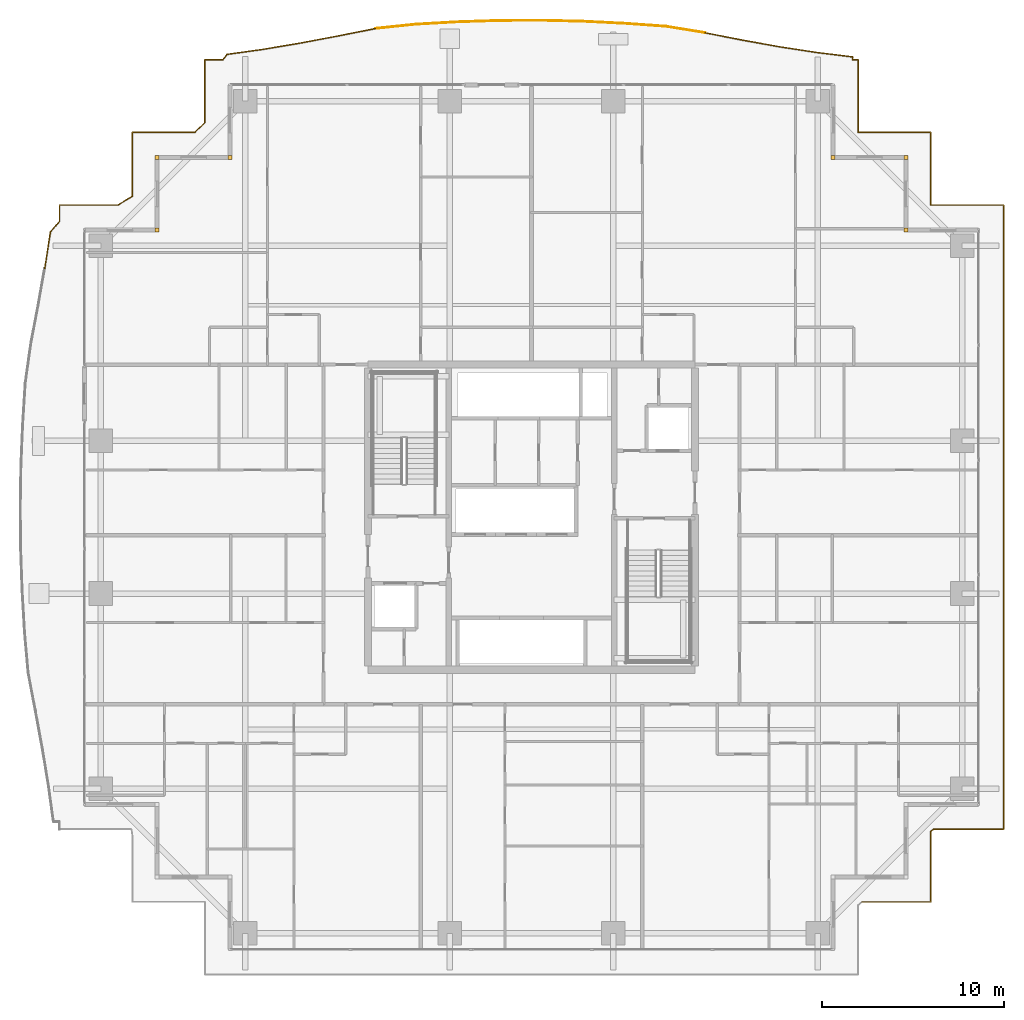
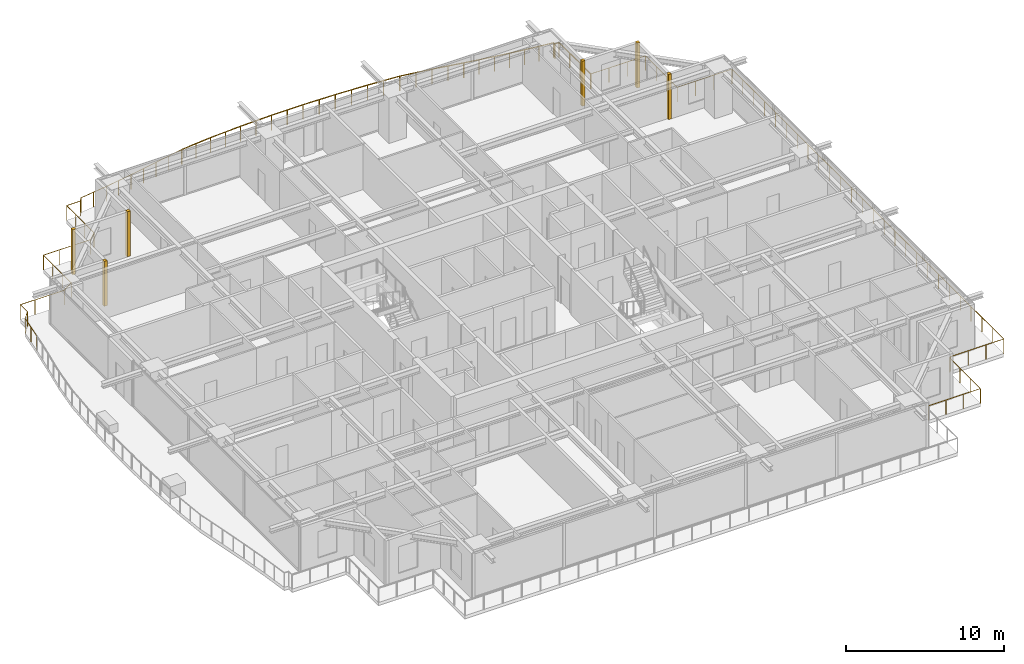
# One storey, part 38 of 38: 6 coverings, 5 railings.
"""IFC4 building model written with IfcOpenShell, lengths in metres."""

from ifc_helpers import new_model, si_unit, direction, frame, origin, origin_2d, place, context, subcontext, project, spatial, rectangle, circle, extrude, source, transform, mapped, material, layer, layer_set, type_object, element, save


model = new_model("IFC4")

# Units and contexts
model_context = context("Model", 3, precision=1e-05, world=origin(), true_north=direction((0.0, 1.0)))
body_context = subcontext(model_context, "Body", "Model", "MODEL_VIEW")
ifc_project = project(units=[si_unit("LENGTHUNIT", "METRE"), si_unit("AREAUNIT", "SQUARE_METRE"), si_unit("VOLUMEUNIT", "CUBIC_METRE"), si_unit("PLANEANGLEUNIT", "RADIAN"), si_unit("MASSUNIT", "GRAM", prefix="KILO")], contexts=[model_context])

# Site, building, storey
site_placement = place(None, origin())
site = spatial("IfcSite", under=ifc_project, at=site_placement, CompositionType="ELEMENT")
building_placement = place(site_placement, origin())
building = spatial("IfcBuilding", under=site, at=building_placement, Name="Serunith Strait Residences", CompositionType="ELEMENT")
storey_placement = place(building_placement, frame((0.0, 0.0, 120.14990234375)))
storey = spatial("IfcBuildingStorey", under=building, at=storey_placement, Name="L29", CompositionType="ELEMENT", Elevation=120.14990234375)

# Railings
ifc_material_1 = material(Name="Stainless Steel & Laminated Glass Balustrade", Category="steel")
railing_type = type_object("IfcRailingType", Name="RLG-BALC-1150", PredefinedType="BALUSTRADE", material=ifc_material_1)
railing_1_placement = place(storey_placement, frame((5.6083984375, 38.88623046875, -0.0498046875)))
element("IfcRailing", 1, at=railing_1_placement, inside=storey, type_object=railing_type, Name="L29 Swirling Balcony Perimeter Balustrade 3", PredefinedType="BALUSTRADE", context=body_context, shape_type="SweptSolid", body=[
    extrude(circle(Radius=0.02392578125, at=origin_2d()), frame((0.000244140625, 0.001953125, 1.1259765625), z_axis=(0.153418109504, 0.988161365201, 0.0), x_axis=(-0.988161365201, 0.153418109504, 0.0)), (0.0, 0.0, 1.0), 2.03125),
    extrude(circle(Radius=0.02392578125, at=origin_2d()), frame((0.3134765625, 2.0126953125, 1.1259765625), z_axis=(0.649822605794, 0.760085903697, 0.0), x_axis=(-0.760085903697, 0.649822605794, 0.0)), (0.0, 0.0, 1.0), 0.764404296875),
    extrude(circle(Radius=0.02392578125, at=origin_2d()), frame((0.8115234375, 2.59716796875, 1.1259765625), z_axis=(0.0, 1.0, 0.0), x_axis=(-1.0, 0.0, 0.0)), (0.0, 0.0, 1.0), 0.89453125),
    extrude(circle(Radius=0.02392578125, at=origin_2d()), frame((0.8134765625, 3.49365234375, 1.1259765625), z_axis=(1.0, 0.0, 0.0), x_axis=(0.0, 1.0, 0.0)), (0.0, 0.0, 1.0), 3.20556640625),
    extrude(circle(Radius=0.02392578125, at=origin_2d()), frame((4.022705078125, 3.49462890625, 1.1259765625), z_axis=(0.858753992877, 0.512388114341, 0.0), x_axis=(-0.512388114341, 0.858753992877, 0.0)), (0.0, 0.0, 1.0), 0.91650390625),
    extrude(circle(Radius=0.02392578125, at=origin_2d()), frame((4.8115234375, 3.96728515625, 1.1259765625), z_axis=(0.0, 1.0, 0.0), x_axis=(-1.0, 0.0, 0.0)), (0.0, 0.0, 1.0), 3.5244140625),
    extrude(circle(Radius=0.02392578125, at=origin_2d()), frame((4.8134765625, 7.49365234375, 1.1259765625), z_axis=(1.0, 0.0, 0.0), x_axis=(0.0, 1.0, 0.0)), (0.0, 0.0, 1.0), 3.439697265625),
    extrude(circle(Radius=0.02099609375, at=origin_2d()), origin(), (0.0, 0.0, 1.0), 1.099853515625),
    extrude(circle(Radius=0.02099609375, at=origin_2d()), frame((0.15625, 1.005615234375, 0.0)), (0.0, 0.0, 1.0), 1.099853515625),
    extrude(circle(Radius=0.02099609375, at=origin_2d()), frame((0.312255859375, 2.01123046875, 0.0)), (0.0, 0.0, 1.0), 1.099853515625),
    extrude(circle(Radius=0.02099609375, at=origin_2d()), frame((0.8115234375, 2.59521484375, 0.0)), (0.0, 0.0, 1.0), 1.099853515625),
    extrude(circle(Radius=0.02099609375, at=origin_2d()), frame((0.8115234375, 3.49365234375, 0.0)), (0.0, 0.0, 1.0), 1.099853515625),
    extrude(circle(Radius=0.02099609375, at=origin_2d()), frame((1.88134765625, 3.49365234375, 0.0)), (0.0, 0.0, 1.0), 1.099853515625),
    extrude(circle(Radius=0.02099609375, at=origin_2d()), frame((2.951171875, 3.49365234375, 0.0)), (0.0, 0.0, 1.0), 1.099853515625),
    extrude(circle(Radius=0.02099609375, at=origin_2d()), frame((4.02099609375, 3.49365234375, 0.0)), (0.0, 0.0, 1.0), 1.099853515625),
    extrude(circle(Radius=0.02099609375, at=origin_2d()), frame((4.8115234375, 3.96533203125, 0.0)), (0.0, 0.0, 1.0), 1.099853515625),
    extrude(circle(Radius=0.02099609375, at=origin_2d()), frame((4.8115234375, 5.141357421875, 0.0)), (0.0, 0.0, 1.0), 1.099853515625),
    extrude(circle(Radius=0.02099609375, at=origin_2d()), frame((4.8115234375, 6.317626953125, 0.0)), (0.0, 0.0, 1.0), 1.099853515625),
    extrude(circle(Radius=0.02099609375, at=origin_2d()), frame((4.8115234375, 7.49365234375, 0.0)), (0.0, 0.0, 1.0), 1.099853515625),
    extrude(circle(Radius=0.02099609375, at=origin_2d()), frame((5.95947265625, 7.49365234375, 0.0)), (0.0, 0.0, 1.0), 1.099853515625),
    extrude(circle(Radius=0.02099609375, at=origin_2d()), frame((7.107177734375, 7.49365234375, 0.0)), (0.0, 0.0, 1.0), 1.099853515625),
    extrude(circle(Radius=0.02099609375, at=origin_2d()), frame((8.255126953125, 7.49365234375, 0.0)), (0.0, 0.0, 1.0), 1.099853515625),
])
railing_2_placement = place(storey_placement, frame((13.863525390625, 46.3798828125, -0.0498046875)))
element("IfcRailing", 2, at=railing_2_placement, inside=storey, type_object=railing_type, Name="L29 Swirling Balcony Perimeter Balustrade 4", PredefinedType="BALUSTRADE", context=body_context, shape_type="SweptSolid", body=[
    extrude(circle(Radius=0.02392578125, at=origin_2d()), frame((0.00146484375, 0.00146484375, 1.1259765625), z_axis=(0.720097984806, 0.693872389045, 0.0), x_axis=(-0.693872389045, 0.720097984806, 0.0)), (0.0, 0.0, 1.0), 0.7685546875),
    extrude(circle(Radius=0.02392578125, at=origin_2d()), frame((0.556396484375, 0.5380859375, 1.1259765625), z_axis=(0.0, 1.0, 0.0), x_axis=(-1.0, 0.0, 0.0)), (0.0, 0.0, 1.0), 3.4599609375),
    extrude(circle(Radius=0.02392578125, at=origin_2d()), frame((0.558349609375, 4.0, 1.1259765625), z_axis=(1.0, 0.0, 0.0), x_axis=(0.0, 1.0, 0.0)), (0.0, 0.0, 1.0), 1.000244140625),
    extrude(circle(Radius=0.02392578125, at=origin_2d()), frame((1.561767578125, 4.001708984375, 1.1259765625), z_axis=(0.581238193719, 0.813733471207, 0.0), x_axis=(-0.813733471207, 0.581238193719, 0.0)), (0.0, 0.0, 1.0), 0.355224609375),
    extrude(circle(Radius=0.02392578125, at=origin_2d()), frame((1.771240234375, 4.29248046875, 1.1259765625), z_axis=(0.990352047017, 0.138574250744, 0.0), x_axis=(-0.138574250744, 0.990352047017, 0.0)), (0.0, 0.0, 1.0), 2.01318359375),
    extrude(circle(Radius=0.02392578125, at=origin_2d()), frame((3.76904296875, 4.572021484375, 1.1259765625), z_axis=(0.986193128068, 0.165599257703, 0.0), x_axis=(-0.165599257703, 0.986193128068, 0.0)), (0.0, 0.0, 1.0), 2.040771484375),
    extrude(circle(Radius=0.02392578125, at=origin_2d()), frame((5.78564453125, 4.910888671875, 1.1259765625), z_axis=(0.982511955858, 0.186199507507, 0.0), x_axis=(-0.186199507507, 0.982511955858, 0.0)), (0.0, 0.0, 1.0), 2.0859375),
    extrude(circle(Radius=0.02392578125, at=origin_2d()), frame((7.839111328125, 5.300048828125, 1.1259765625), z_axis=(0.98112675012, 0.193365716193, 0.0), x_axis=(-0.193365716193, 0.98112675012, 0.0)), (0.0, 0.0, 1.0), 2.1474609375),
    extrude(circle(Radius=0.02099609375, at=origin_2d()), origin(), (0.0, 0.0, 1.0), 1.099853515625),
    extrude(circle(Radius=0.02099609375, at=origin_2d()), frame((0.556396484375, 0.5361328125, 0.0)), (0.0, 0.0, 1.0), 1.099853515625),
    extrude(circle(Radius=0.02099609375, at=origin_2d()), frame((0.556396484375, 1.690673828125, 0.0)), (0.0, 0.0, 1.0), 1.099853515625),
    extrude(circle(Radius=0.02099609375, at=origin_2d()), frame((0.556396484375, 2.845458984375, 0.0)), (0.0, 0.0, 1.0), 1.099853515625),
    extrude(circle(Radius=0.02099609375, at=origin_2d()), frame((0.556396484375, 4.0, 0.0)), (0.0, 0.0, 1.0), 1.099853515625),
    extrude(circle(Radius=0.02099609375, at=origin_2d()), frame((1.560546875, 4.0, 0.0)), (0.0, 0.0, 1.0), 1.099853515625),
    extrude(circle(Radius=0.02099609375, at=origin_2d()), frame((1.769287109375, 4.292236328125, 0.0)), (0.0, 0.0, 1.0), 1.099853515625),
    extrude(circle(Radius=0.02099609375, at=origin_2d()), frame((2.76806640625, 4.43212890625, 0.0)), (0.0, 0.0, 1.0), 1.099853515625),
    extrude(circle(Radius=0.02099609375, at=origin_2d()), frame((3.76708984375, 4.57177734375, 0.0)), (0.0, 0.0, 1.0), 1.099853515625),
    extrude(circle(Radius=0.02099609375, at=origin_2d()), frame((4.775390625, 4.7412109375, 0.0)), (0.0, 0.0, 1.0), 1.099853515625),
    extrude(circle(Radius=0.02099609375, at=origin_2d()), frame((5.78369140625, 4.910400390625, 0.0)), (0.0, 0.0, 1.0), 1.099853515625),
    extrude(circle(Radius=0.02099609375, at=origin_2d()), frame((6.810546875, 5.10498046875, 0.0)), (0.0, 0.0, 1.0), 1.099853515625),
    extrude(circle(Radius=0.02099609375, at=origin_2d()), frame((7.837158203125, 5.299560546875, 0.0)), (0.0, 0.0, 1.0), 1.099853515625),
    extrude(circle(Radius=0.02099609375, at=origin_2d()), frame((8.892578125, 5.507568359375, 0.0)), (0.0, 0.0, 1.0), 1.099853515625),
    extrude(circle(Radius=0.02099609375, at=origin_2d()), frame((9.947998046875, 5.715576171875, 0.0)), (0.0, 0.0, 1.0), 1.099853515625),
])
railing_3_placement = place(storey_placement, frame((23.8115234375, 52.095458984375, -0.0498046875)))
element("IfcRailing", 3, at=railing_3_placement, inside=storey, type_object=railing_type, Name="L29 Swirling Balcony Perimeter Balustrade 5", PredefinedType="BALUSTRADE", context=body_context, shape_type="SweptSolid", body=[
    extrude(circle(Radius=0.02392578125, at=origin_2d()), frame((0.001953125, 0.000244140625, 1.1259765625), z_axis=(0.99467753067, 0.103036935033, 0.0), x_axis=(-0.103036935033, 0.99467753067, 0.0)), (0.0, 0.0, 1.0), 2.232666015625),
    extrude(circle(Radius=0.02392578125, at=origin_2d()), frame((2.226806640625, 0.23046875, 1.1259765625), z_axis=(0.998367851723, 0.057110705176, 0.0), x_axis=(-0.057110705176, 0.998367851723, 0.0)), (0.0, 0.0, 1.0), 2.27880859375),
    extrude(circle(Radius=0.02392578125, at=origin_2d()), frame((4.505859375, 0.36083984375, 1.1259765625), z_axis=(0.999481873802, 0.032186704411, 0.0), x_axis=(-0.032186704411, 0.999481873802, 0.0)), (0.0, 0.0, 1.0), 2.302001953125),
    extrude(circle(Radius=0.02392578125, at=origin_2d()), frame((6.810546875, 0.43505859375, 1.1259765625), z_axis=(0.999990198423, 0.004427534085, 0.0), x_axis=(-0.004427534085, 0.999990198423, 0.0)), (0.0, 0.0, 1.0), 2.31201171875),
    extrude(circle(Radius=0.02392578125, at=origin_2d()), frame((9.12646484375, 0.4453125, 1.1259765625), z_axis=(0.999722625835, -0.023551462662, 0.0), x_axis=(0.023551462662, 0.999722625835, 0.0)), (0.0, 0.0, 1.0), 2.3076171875),
    extrude(circle(Radius=0.02392578125, at=origin_2d()), frame((11.4375, 0.390869140625, 1.1259765625), z_axis=(0.998774013121, -0.049502229386, 0.0), x_axis=(0.049502229386, 0.998774013121, 0.0)), (0.0, 0.0, 1.0), 2.289306640625),
    extrude(circle(Radius=0.02392578125, at=origin_2d()), frame((13.72802734375, 0.277099609375, 1.1259765625), z_axis=(0.997456509854, -0.071277703029, 0.0), x_axis=(0.071277703029, 0.997456509854, 0.0)), (0.0, 0.0, 1.0), 2.260009765625),
    extrude(circle(Radius=0.02392578125, at=origin_2d()), frame((15.986328125, 0.11572265625, 1.1259765625), z_axis=(0.987063095961, -0.160332294287, 0.0), x_axis=(0.160332294287, 0.987063095961, 0.0)), (0.0, 0.0, 1.0), 2.187255859375),
    extrude(circle(Radius=0.02099609375, at=origin_2d()), origin(), (0.0, 0.0, 1.0), 1.099853515625),
    extrude(circle(Radius=0.02099609375, at=origin_2d()), frame((1.1123046875, 0.115234375, 0.0)), (0.0, 0.0, 1.0), 1.099853515625),
    extrude(circle(Radius=0.02099609375, at=origin_2d()), frame((2.224853515625, 0.23046875, 0.0)), (0.0, 0.0, 1.0), 1.099853515625),
    extrude(circle(Radius=0.02099609375, at=origin_2d()), frame((3.3642578125, 0.295654296875, 0.0)), (0.0, 0.0, 1.0), 1.099853515625),
    extrude(circle(Radius=0.02099609375, at=origin_2d()), frame((4.50390625, 0.36083984375, 0.0)), (0.0, 0.0, 1.0), 1.099853515625),
    extrude(circle(Radius=0.02099609375, at=origin_2d()), frame((5.65625, 0.39794921875, 0.0)), (0.0, 0.0, 1.0), 1.099853515625),
    extrude(circle(Radius=0.02099609375, at=origin_2d()), frame((6.80859375, 0.43505859375, 0.0)), (0.0, 0.0, 1.0), 1.099853515625),
    extrude(circle(Radius=0.02099609375, at=origin_2d()), frame((7.966552734375, 0.440185546875, 0.0)), (0.0, 0.0, 1.0), 1.099853515625),
    extrude(circle(Radius=0.02099609375, at=origin_2d()), frame((9.12451171875, 0.4453125, 0.0)), (0.0, 0.0, 1.0), 1.099853515625),
    extrude(circle(Radius=0.02099609375, at=origin_2d()), frame((10.280029296875, 0.41796875, 0.0)), (0.0, 0.0, 1.0), 1.099853515625),
    extrude(circle(Radius=0.02099609375, at=origin_2d()), frame((11.435546875, 0.390869140625, 0.0)), (0.0, 0.0, 1.0), 1.099853515625),
    extrude(circle(Radius=0.02099609375, at=origin_2d()), frame((12.580810546875, 0.333984375, 0.0)), (0.0, 0.0, 1.0), 1.099853515625),
    extrude(circle(Radius=0.02099609375, at=origin_2d()), frame((13.72607421875, 0.27734375, 0.0)), (0.0, 0.0, 1.0), 1.099853515625),
    extrude(circle(Radius=0.02099609375, at=origin_2d()), frame((14.855224609375, 0.19677734375, 0.0)), (0.0, 0.0, 1.0), 1.099853515625),
    extrude(circle(Radius=0.02099609375, at=origin_2d()), frame((15.984375, 0.115966796875, 0.0)), (0.0, 0.0, 1.0), 1.099853515625),
    extrude(circle(Radius=0.02099609375, at=origin_2d()), frame((17.06591796875, -0.0595703125, 0.0)), (0.0, 0.0, 1.0), 1.099853515625),
    extrude(circle(Radius=0.02099609375, at=origin_2d()), frame((18.147216796875, -0.2353515625, 0.0)), (0.0, 0.0, 1.0), 1.099853515625),
])
railing_4_placement = place(storey_placement, frame((41.958740234375, 51.860107421875, -0.0498046875)))
element("IfcRailing", 4, at=railing_4_placement, inside=storey, type_object=railing_type, Name="L29 Swirling Balcony Perimeter Balustrade 6", PredefinedType="BALUSTRADE", context=body_context, shape_type="SweptSolid", body=[
    extrude(circle(Radius=0.02392578125, at=origin_2d()), frame((0.001953125, -0.00048828125, 1.1259765625), z_axis=(0.981413895602, -0.191903010708, 0.0), x_axis=(0.191903010708, 0.981413895602, 0.0)), (0.0, 0.0, 1.0), 2.1142578125),
    extrude(circle(Radius=0.02392578125, at=origin_2d()), frame((2.080810546875, -0.40673828125, 1.1259765625), z_axis=(0.984313357301, -0.176429064043, 0.0), x_axis=(0.176429064043, 0.984313357301, 0.0)), (0.0, 0.0, 1.0), 2.060546875),
    extrude(circle(Radius=0.02392578125, at=origin_2d()), frame((4.113037109375, -0.77099609375, 1.1259765625), z_axis=(0.988477178622, -0.151369968437, 0.0), x_axis=(0.151369968437, 0.988477178622, 0.0)), (0.0, 0.0, 1.0), 2.02490234375),
    extrude(circle(Radius=0.02392578125, at=origin_2d()), frame((6.11865234375, -1.078125, 1.1259765625), z_axis=(0.992356162125, -0.123406837297, 0.0), x_axis=(0.123406837297, 0.992356162125, 0.0)), (0.0, 0.0, 1.0), 2.006103515625),
    extrude(circle(Radius=0.02392578125, at=origin_2d()), frame((8.111328125, -1.327880859375, 1.1259765625), z_axis=(-0.007911144829, -0.999968706404, 0.0), x_axis=(0.999968706404, -0.007911144829, 0.0)), (0.0, 0.0, 1.0), 0.150390625),
    extrude(circle(Radius=0.02392578125, at=origin_2d()), frame((8.112060546875, -1.480224609375, 1.1259765625), z_axis=(1.0, 0.0, 0.0), x_axis=(0.0, 1.0, 0.0)), (0.0, 0.0, 1.0), 0.30712890625),
    extrude(circle(Radius=0.02392578125, at=origin_2d()), frame((8.421142578125, -1.482177734375, 1.1259765625), z_axis=(0.0, -1.0, 0.0), x_axis=(1.0, 0.0, 0.0)), (0.0, 0.0, 1.0), 3.99609375),
    extrude(circle(Radius=0.02099609375, at=origin_2d()), origin(), (0.0, 0.0, 1.0), 1.099853515625),
    extrude(circle(Radius=0.02099609375, at=origin_2d()), frame((1.03955078125, -0.203125, 0.0)), (0.0, 0.0, 1.0), 1.099853515625),
    extrude(circle(Radius=0.02099609375, at=origin_2d()), frame((2.078857421875, -0.406494140625, 0.0)), (0.0, 0.0, 1.0), 1.099853515625),
    extrude(circle(Radius=0.02099609375, at=origin_2d()), frame((3.094970703125, -0.588623046875, 0.0)), (0.0, 0.0, 1.0), 1.099853515625),
    extrude(circle(Radius=0.02099609375, at=origin_2d()), frame((4.111083984375, -0.770751953125, 0.0)), (0.0, 0.0, 1.0), 1.099853515625),
    extrude(circle(Radius=0.02099609375, at=origin_2d()), frame((5.11376953125, -0.92431640625, 0.0)), (0.0, 0.0, 1.0), 1.099853515625),
    extrude(circle(Radius=0.02099609375, at=origin_2d()), frame((6.11669921875, -1.077880859375, 0.0)), (0.0, 0.0, 1.0), 1.099853515625),
    extrude(circle(Radius=0.02099609375, at=origin_2d()), frame((7.114013671875, -1.201904296875, 0.0)), (0.0, 0.0, 1.0), 1.099853515625),
    extrude(circle(Radius=0.02099609375, at=origin_2d()), frame((8.111328125, -1.325927734375, 0.0)), (0.0, 0.0, 1.0), 1.099853515625),
    extrude(circle(Radius=0.02099609375, at=origin_2d()), frame((8.110107421875, -1.480224609375, 0.0)), (0.0, 0.0, 1.0), 1.099853515625),
    extrude(circle(Radius=0.02099609375, at=origin_2d()), frame((8.421142578125, -1.480224609375, 0.0)), (0.0, 0.0, 1.0), 1.099853515625),
    extrude(circle(Radius=0.02099609375, at=origin_2d()), frame((8.421142578125, -2.8134765625, 0.0)), (0.0, 0.0, 1.0), 1.099853515625),
    extrude(circle(Radius=0.02099609375, at=origin_2d()), frame((8.421142578125, -4.14697265625, 0.0)), (0.0, 0.0, 1.0), 1.099853515625),
    extrude(circle(Radius=0.02099609375, at=origin_2d()), frame((8.421142578125, -5.480224609375, 0.0)), (0.0, 0.0, 1.0), 1.099853515625),
])
railing_5_placement = place(storey_placement, frame((50.3798828125, 46.3798828125, -0.0498046875)))
element("IfcRailing", 5, at=railing_5_placement, inside=storey, type_object=railing_type, Name="L29 Swirling Balcony Perimeter Balustrade 7", PredefinedType="BALUSTRADE", context=body_context, shape_type="SweptSolid", body=[
    extrude(circle(Radius=0.02392578125, at=origin_2d()), frame((0.001953125, 0.0, 1.1259765625), z_axis=(1.0, 0.0, 0.0), x_axis=(0.0, 1.0, 0.0)), (0.0, 0.0, 1.0), 3.99609375),
    extrude(circle(Radius=0.02392578125, at=origin_2d()), frame((4.0, -0.001953125, 1.1259765625), z_axis=(0.0, -1.0, 0.0), x_axis=(1.0, 0.0, 0.0)), (0.0, 0.0, 1.0), 3.99609375),
    extrude(circle(Radius=0.02392578125, at=origin_2d()), frame((4.001953125, -4.0, 1.1259765625), z_axis=(1.0, 0.0, 0.0), x_axis=(0.0, 1.0, 0.0)), (0.0, 0.0, 1.0), 3.99609375),
    extrude(circle(Radius=0.02392578125, at=origin_2d()), frame((8.0, -4.001953125, 1.1259765625), z_axis=(0.0, -1.0, 0.0), x_axis=(1.0, 0.0, 0.0)), (0.0, 0.0, 1.0), 34.35595703125),
    extrude(circle(Radius=0.02392578125, at=origin_2d()), frame((7.998046875, -38.35986328125, 1.1259765625), z_axis=(-1.0, 0.0, 0.0), x_axis=(0.0, -1.0, 0.0)), (0.0, 0.0, 1.0), 3.86083984375),
    extrude(circle(Radius=0.02392578125, at=origin_2d()), frame((4.133544921875, -38.361083984375, 1.1259765625), z_axis=(-0.809367380782, -0.587302684249, 0.0), x_axis=(0.587302684249, -0.809367380782, 0.0)), (0.0, 0.0, 1.0), 0.1630859375),
    extrude(circle(Radius=0.02392578125, at=origin_2d()), frame((4.0, -38.4599609375, 1.1259765625), z_axis=(0.0, -1.0, 0.0), x_axis=(1.0, 0.0, 0.0)), (0.0, 0.0, 1.0), 3.89794921875),
    extrude(circle(Radius=0.02392578125, at=origin_2d()), frame((3.998046875, -42.35986328125, 1.1259765625), z_axis=(-1.0, 0.0, 0.0), x_axis=(0.0, -1.0, 0.0)), (0.0, 0.0, 1.0), 3.774169921875),
    extrude(circle(Radius=0.02099609375, at=origin_2d()), origin(), (0.0, 0.0, 1.0), 1.099853515625),
    extrude(circle(Radius=0.02099609375, at=origin_2d()), frame((1.333251953125, 0.0, 0.0)), (0.0, 0.0, 1.0), 1.099853515625),
    extrude(circle(Radius=0.02099609375, at=origin_2d()), frame((2.666748046875, 0.0, 0.0)), (0.0, 0.0, 1.0), 1.099853515625),
    extrude(circle(Radius=0.02099609375, at=origin_2d()), frame((4.0, 0.0, 0.0)), (0.0, 0.0, 1.0), 1.099853515625),
    extrude(circle(Radius=0.02099609375, at=origin_2d()), frame((4.0, -1.333251953125, 0.0)), (0.0, 0.0, 1.0), 1.099853515625),
    extrude(circle(Radius=0.02099609375, at=origin_2d()), frame((4.0, -2.666748046875, 0.0)), (0.0, 0.0, 1.0), 1.099853515625),
    extrude(circle(Radius=0.02099609375, at=origin_2d()), frame((4.0, -4.0, 0.0)), (0.0, 0.0, 1.0), 1.099853515625),
    extrude(circle(Radius=0.02099609375, at=origin_2d()), frame((5.333251953125, -4.0, 0.0)), (0.0, 0.0, 1.0), 1.099853515625),
    extrude(circle(Radius=0.02099609375, at=origin_2d()), frame((6.666748046875, -4.0, 0.0)), (0.0, 0.0, 1.0), 1.099853515625),
    extrude(circle(Radius=0.02099609375, at=origin_2d()), frame((8.0, -4.0, 0.0)), (0.0, 0.0, 1.0), 1.099853515625),
    extrude(circle(Radius=0.02099609375, at=origin_2d()), frame((8.0, -5.37451171875, 0.0)), (0.0, 0.0, 1.0), 1.099853515625),
    extrude(circle(Radius=0.02099609375, at=origin_2d()), frame((8.0, -6.748779296875, 0.0)), (0.0, 0.0, 1.0), 1.099853515625),
    extrude(circle(Radius=0.02099609375, at=origin_2d()), frame((8.0, -8.123291015625, 0.0)), (0.0, 0.0, 1.0), 1.099853515625),
    extrude(circle(Radius=0.02099609375, at=origin_2d()), frame((8.0, -9.49755859375, 0.0)), (0.0, 0.0, 1.0), 1.099853515625),
    extrude(circle(Radius=0.02099609375, at=origin_2d()), frame((8.0, -10.8720703125, 0.0)), (0.0, 0.0, 1.0), 1.099853515625),
    extrude(circle(Radius=0.02099609375, at=origin_2d()), frame((8.0, -12.246337890625, 0.0)), (0.0, 0.0, 1.0), 1.099853515625),
    extrude(circle(Radius=0.02099609375, at=origin_2d()), frame((8.0, -13.620849609375, 0.0)), (0.0, 0.0, 1.0), 1.099853515625),
    extrude(circle(Radius=0.02099609375, at=origin_2d()), frame((8.0, -14.9951171875, 0.0)), (0.0, 0.0, 1.0), 1.099853515625),
    extrude(circle(Radius=0.02099609375, at=origin_2d()), frame((8.0, -16.36962890625, 0.0)), (0.0, 0.0, 1.0), 1.099853515625),
    extrude(circle(Radius=0.02099609375, at=origin_2d()), frame((8.0, -17.743896484375, 0.0)), (0.0, 0.0, 1.0), 1.099853515625),
    extrude(circle(Radius=0.02099609375, at=origin_2d()), frame((8.0, -19.118408203125, 0.0)), (0.0, 0.0, 1.0), 1.099853515625),
    extrude(circle(Radius=0.02099609375, at=origin_2d()), frame((8.0, -20.49267578125, 0.0)), (0.0, 0.0, 1.0), 1.099853515625),
    extrude(circle(Radius=0.02099609375, at=origin_2d()), frame((8.0, -21.8671875, 0.0)), (0.0, 0.0, 1.0), 1.099853515625),
    extrude(circle(Radius=0.02099609375, at=origin_2d()), frame((8.0, -23.241455078125, 0.0)), (0.0, 0.0, 1.0), 1.099853515625),
    extrude(circle(Radius=0.02099609375, at=origin_2d()), frame((8.0, -24.615966796875, 0.0)), (0.0, 0.0, 1.0), 1.099853515625),
    extrude(circle(Radius=0.02099609375, at=origin_2d()), frame((8.0, -25.990234375, 0.0)), (0.0, 0.0, 1.0), 1.099853515625),
    extrude(circle(Radius=0.02099609375, at=origin_2d()), frame((8.0, -27.36474609375, 0.0)), (0.0, 0.0, 1.0), 1.099853515625),
    extrude(circle(Radius=0.02099609375, at=origin_2d()), frame((8.0, -28.739013671875, 0.0)), (0.0, 0.0, 1.0), 1.099853515625),
    extrude(circle(Radius=0.02099609375, at=origin_2d()), frame((8.0, -30.113525390625, 0.0)), (0.0, 0.0, 1.0), 1.099853515625),
    extrude(circle(Radius=0.02099609375, at=origin_2d()), frame((8.0, -31.48779296875, 0.0)), (0.0, 0.0, 1.0), 1.099853515625),
    extrude(circle(Radius=0.02099609375, at=origin_2d()), frame((8.0, -32.8623046875, 0.0)), (0.0, 0.0, 1.0), 1.099853515625),
    extrude(circle(Radius=0.02099609375, at=origin_2d()), frame((8.0, -34.236572265625, 0.0)), (0.0, 0.0, 1.0), 1.099853515625),
    extrude(circle(Radius=0.02099609375, at=origin_2d()), frame((8.0, -35.611083984375, 0.0)), (0.0, 0.0, 1.0), 1.099853515625),
    extrude(circle(Radius=0.02099609375, at=origin_2d()), frame((8.0, -36.9853515625, 0.0)), (0.0, 0.0, 1.0), 1.099853515625),
    extrude(circle(Radius=0.02099609375, at=origin_2d()), frame((8.0, -38.35986328125, 0.0)), (0.0, 0.0, 1.0), 1.099853515625),
    extrude(circle(Radius=0.02099609375, at=origin_2d()), frame((6.711669921875, -38.35986328125, 0.0)), (0.0, 0.0, 1.0), 1.099853515625),
    extrude(circle(Radius=0.02099609375, at=origin_2d()), frame((5.423583984375, -38.35986328125, 0.0)), (0.0, 0.0, 1.0), 1.099853515625),
    extrude(circle(Radius=0.02099609375, at=origin_2d()), frame((4.13525390625, -38.35986328125, 0.0)), (0.0, 0.0, 1.0), 1.099853515625),
    extrude(circle(Radius=0.02099609375, at=origin_2d()), frame((4.0, -38.4580078125, 0.0)), (0.0, 0.0, 1.0), 1.099853515625),
    extrude(circle(Radius=0.02099609375, at=origin_2d()), frame((4.0, -39.758544921875, 0.0)), (0.0, 0.0, 1.0), 1.099853515625),
    extrude(circle(Radius=0.02099609375, at=origin_2d()), frame((4.0, -41.059326171875, 0.0)), (0.0, 0.0, 1.0), 1.099853515625),
    extrude(circle(Radius=0.02099609375, at=origin_2d()), frame((4.0, -42.35986328125, 0.0)), (0.0, 0.0, 1.0), 1.099853515625),
    extrude(circle(Radius=0.02099609375, at=origin_2d()), frame((2.74072265625, -42.35986328125, 0.0)), (0.0, 0.0, 1.0), 1.099853515625),
    extrude(circle(Radius=0.02099609375, at=origin_2d()), frame((1.481201171875, -42.35986328125, 0.0)), (0.0, 0.0, 1.0), 1.099853515625),
    extrude(circle(Radius=0.02099609375, at=origin_2d()), frame((0.221923828125, -42.35986328125, 0.0)), (0.0, 0.0, 1.0), 1.099853515625),
])

# Coverings
ifc_material_2 = material(Name="Pale-Champagne Anodised Aluminium", Category="aluminium")
ifc_layer = layer(ifc_material_2, 0.219970703125, Name="Pale-Champagne Anodised Aluminium")
ifc_layer_set = layer_set([ifc_layer], Name="Pale-Champagne Anodised Aluminium")
covering_type = type_object("IfcCoveringType", Name="COV-CORN-TRIM", PredefinedType="CLADDING", material=ifc_layer_set)
shared_shape = source(origin(), body_context, "Body", "SweptSolid", [
    extrude(rectangle(XDim=0.221923828125, YDim=0.221923828125, at=origin_2d()), origin(), (0.0, 0.0, 1.0), 3.47509765625),
])
for number, where, z_axis, x_axis, name in (
    (6, (53.0, 41.0, 0.0), (0.0, 0.0, 1.0), (1.0, 0.0, 0.0), "L29 Girih Serrated Corner Trim Post 07"),
    (7, (53.0, 45.0, 0.0), (0.0, 0.0, 1.0), (1.0, 0.0, 0.0), "L29 Girih Serrated Corner Trim Post 08"),
    (8, (49.0, 45.0, 0.0), (0.0, 0.0, 1.0), (1.0, 0.0, 0.0), "L29 Girih Serrated Corner Trim Post 09"),
    (9, (15.800048828125, 45.0, 0.0), (0.0, 0.0, 1.0), (1.0, 0.0, 0.0), "L29 Girih Serrated Corner Trim Post 12"),
    (10, (11.800048828125, 45.0, 0.0), (0.0, 0.0, 1.0), (1.0, 0.0, 0.0), "L29 Girih Serrated Corner Trim Post 13"),
    (11, (11.800048828125, 41.0, 0.0), (0.0, 0.0, 1.0), (1.0, 0.0, 0.0), "L29 Girih Serrated Corner Trim Post 14"),
):
    element("IfcCovering", number, at=place(storey_placement, frame(where, z_axis=z_axis, x_axis=x_axis)), inside=storey, type_object=covering_type, Name=name, PredefinedType="CLADDING", context=body_context, shape_type="MappedRepresentation", body=[
        mapped(shared_shape, transform((0.0, 0.0, 0.0), scale=1.0)),
    ])

save(model, "model.ifc")
